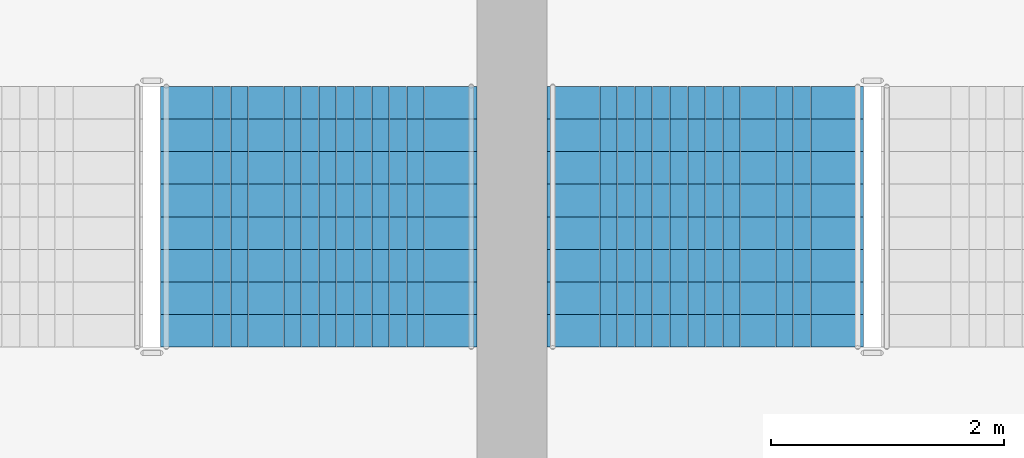
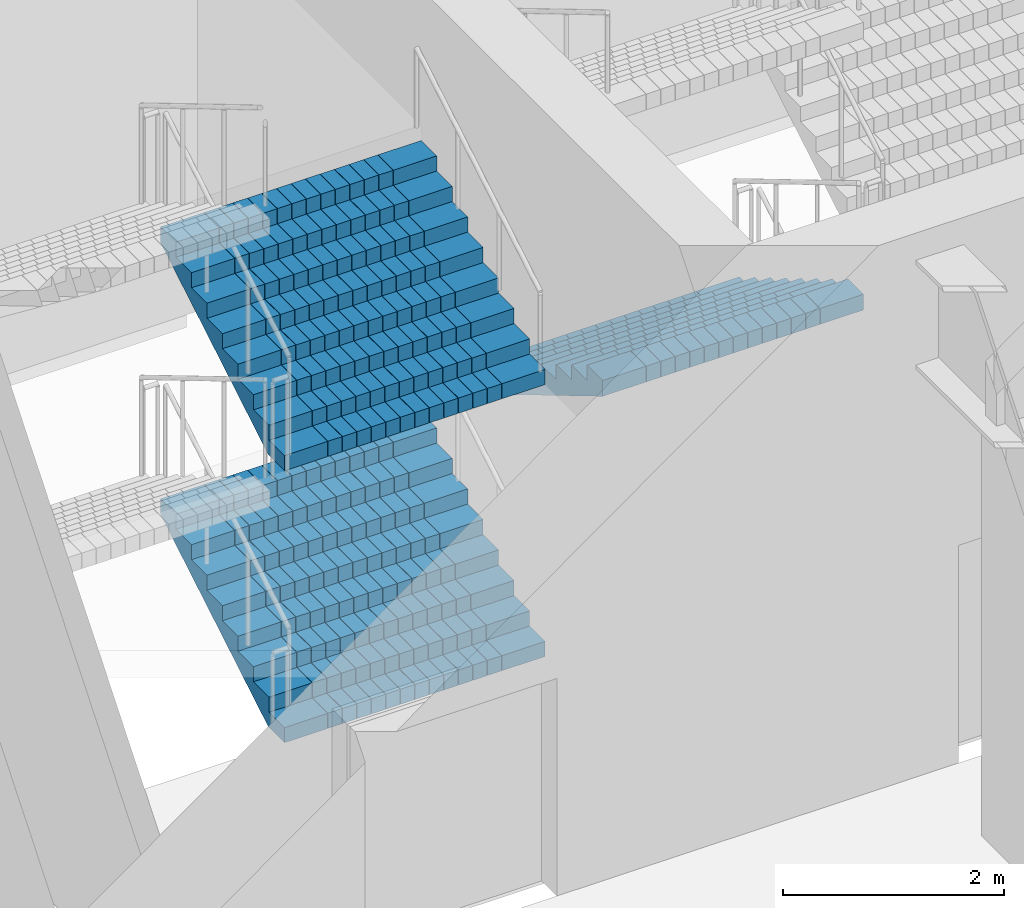
# One storey, part 33 of 41: 3 stair flights, 2 elements without a shape of their own.
"""IFC4 building model written with IfcOpenShell, lengths in metres."""

from ifc_helpers import new_model, si_unit, direction, frame, origin, place, context, subcontext, project, spatial, polyline, outline, extrude, material, type_object, element, aggregate, save


model = new_model("IFC4")

# Units and contexts
model_context = context("Model", 3, precision=1e-05, world=origin(), true_north=direction((0.0, 1.0)))
body_context = subcontext(model_context, "Body", "Model", "MODEL_VIEW")
ifc_project = project(units=[si_unit("LENGTHUNIT", "METRE"), si_unit("AREAUNIT", "SQUARE_METRE"), si_unit("VOLUMEUNIT", "CUBIC_METRE"), si_unit("PLANEANGLEUNIT", "RADIAN"), si_unit("MASSUNIT", "GRAM", prefix="KILO")], contexts=[model_context])

# Site, building, storey
site_placement = place(None, origin())
site = spatial("IfcSite", under=ifc_project, at=site_placement, CompositionType="ELEMENT")
building_placement = place(site_placement, origin())
building = spatial("IfcBuilding", under=site, at=building_placement, Name="Corbelhall Arena Tower", CompositionType="ELEMENT")
storey_placement = place(building_placement, frame((0.0, 0.0, 19.0)))
storey = spatial("IfcBuildingStorey", under=building, at=storey_placement, Name="L02", CompositionType="ELEMENT", Elevation=19.0)

# Stair, stair flights
ifc_material = material(Name="Reinforced concrete C40/50", Category="concrete")
stair_type = type_object("IfcStairType", Name="AR-EXIT-STAIR", PredefinedType="HALF_TURN_STAIR", material=ifc_material)
stair_1_placement = place(storey_placement, origin())
stair_1 = element("IfcStair", 1, at=stair_1_placement, inside=storey, type_object=stair_type, Name="L02 exit stair AS1", PredefinedType="HALF_TURN_STAIR")
stair_flight_type = type_object("IfcStairFlightType", Name="AR-EXIT-FLIGHT", PredefinedType="STRAIGHT", material=ifc_material)
stair_flight_1_placement = place(storey_placement, frame((38.840087890625, 27.320068359375, 0.0), z_axis=(0.0, 0.0, 1.0), x_axis=(0.0, 1.0, 0.0)))
stair_flight_1 = element("IfcStairFlight", 2, at=stair_flight_1_placement, type_object=stair_flight_type, Name="AS1 flight 1", NumberOfRisers=9, NumberOfTreads=8, PredefinedType="STRAIGHT", RiserHeight=0.166666667, TreadLength=0.28, context=body_context, shape_type="SweptSolid", body=[
    extrude(outline(polyline([(0.0, 0.0), (0.0, 0.166748046875), (0.280029296875, 0.166748046875), (0.280029296875, 0.333251953125), (0.56005859375, 0.333251953125), (0.56005859375, 0.5), (0.840087890625, 0.5), (0.840087890625, 0.666748046875), (1.1201171875, 0.666748046875), (1.1201171875, 0.833251953125), (1.39990234375, 0.833251953125), (1.39990234375, 1.0), (1.679931640625, 1.0), (1.679931640625, 1.166748046875), (1.9599609375, 1.166748046875), (1.9599609375, 1.333251953125), (2.239990234375, 1.333251953125), (2.239990234375, 1.5), (2.239990234375, 1.158935546875), (0.29296875, 0.0), (0.0, 0.0)])), frame((0.0, 1.35986328125, 0.0), z_axis=(0.0, -1.0, 0.0), x_axis=(1.0, 0.0, 0.0)), (0.0, 0.0, 1.0), 0.449951171875),
    extrude(outline(polyline([(0.0, 0.0), (0.0, 0.166748046875), (0.280029296875, 0.166748046875), (0.280029296875, 0.333251953125), (0.56005859375, 0.333251953125), (0.56005859375, 0.5), (0.840087890625, 0.5), (0.840087890625, 0.666748046875), (1.1201171875, 0.666748046875), (1.1201171875, 0.833251953125), (1.39990234375, 0.833251953125), (1.39990234375, 1.0), (1.679931640625, 1.0), (1.679931640625, 1.166748046875), (1.9599609375, 1.166748046875), (1.9599609375, 1.333251953125), (2.239990234375, 1.333251953125), (2.239990234375, 1.5), (2.239990234375, 1.158935546875), (0.29296875, 0.0), (0.0, 0.0)])), frame((0.0, 0.906005859375, 0.0), z_axis=(0.0, -1.0, 0.0), x_axis=(1.0, 0.0, 0.0)), (0.0, 0.0, 1.0), 0.147216796875),
    extrude(outline(polyline([(0.0, 0.0), (0.0, 0.166748046875), (0.280029296875, 0.166748046875), (0.280029296875, 0.333251953125), (0.56005859375, 0.333251953125), (0.56005859375, 0.5), (0.840087890625, 0.5), (0.840087890625, 0.666748046875), (1.1201171875, 0.666748046875), (1.1201171875, 0.833251953125), (1.39990234375, 0.833251953125), (1.39990234375, 1.0), (1.679931640625, 1.0), (1.679931640625, 1.166748046875), (1.9599609375, 1.166748046875), (1.9599609375, 1.333251953125), (2.239990234375, 1.333251953125), (2.239990234375, 1.5), (2.239990234375, 1.158935546875), (0.29296875, 0.0), (0.0, 0.0)])), frame((0.0, 0.754638671875, 0.0), z_axis=(0.0, -1.0, 0.0), x_axis=(1.0, 0.0, 0.0)), (0.0, 0.0, 1.0), 0.147216796875),
    extrude(outline(polyline([(0.0, 0.0), (0.0, 0.166748046875), (0.280029296875, 0.166748046875), (0.280029296875, 0.333251953125), (0.56005859375, 0.333251953125), (0.56005859375, 0.5), (0.840087890625, 0.5), (0.840087890625, 0.666748046875), (1.1201171875, 0.666748046875), (1.1201171875, 0.833251953125), (1.39990234375, 0.833251953125), (1.39990234375, 1.0), (1.679931640625, 1.0), (1.679931640625, 1.166748046875), (1.9599609375, 1.166748046875), (1.9599609375, 1.333251953125), (2.239990234375, 1.333251953125), (2.239990234375, 1.5), (2.239990234375, 1.158935546875), (0.29296875, 0.0), (0.0, 0.0)])), frame((0.0, 0.603271484375, 0.0), z_axis=(0.0, -1.0, 0.0), x_axis=(1.0, 0.0, 0.0)), (0.0, 0.0, 1.0), 0.147216796875),
    extrude(outline(polyline([(0.0, 0.0), (0.0, 0.166748046875), (0.280029296875, 0.166748046875), (0.280029296875, 0.333251953125), (0.56005859375, 0.333251953125), (0.56005859375, 0.5), (0.840087890625, 0.5), (0.840087890625, 0.666748046875), (1.1201171875, 0.666748046875), (1.1201171875, 0.833251953125), (1.39990234375, 0.833251953125), (1.39990234375, 1.0), (1.679931640625, 1.0), (1.679931640625, 1.166748046875), (1.9599609375, 1.166748046875), (1.9599609375, 1.333251953125), (2.239990234375, 1.333251953125), (2.239990234375, 1.5), (2.239990234375, 1.158935546875), (0.29296875, 0.0), (0.0, 0.0)])), frame((0.0, 0.451904296875, 0.0), z_axis=(0.0, -1.0, 0.0), x_axis=(1.0, 0.0, 0.0)), (0.0, 0.0, 1.0), 0.147216796875),
    extrude(outline(polyline([(0.0, 0.0), (0.0, 0.166748046875), (0.280029296875, 0.166748046875), (0.280029296875, 0.333251953125), (0.56005859375, 0.333251953125), (0.56005859375, 0.5), (0.840087890625, 0.5), (0.840087890625, 0.666748046875), (1.1201171875, 0.666748046875), (1.1201171875, 0.833251953125), (1.39990234375, 0.833251953125), (1.39990234375, 1.0), (1.679931640625, 1.0), (1.679931640625, 1.166748046875), (1.9599609375, 1.166748046875), (1.9599609375, 1.333251953125), (2.239990234375, 1.333251953125), (2.239990234375, 1.5), (2.239990234375, 1.158935546875), (0.29296875, 0.0), (0.0, 0.0)])), frame((0.0, 0.30078125, 0.0), z_axis=(0.0, -1.0, 0.0), x_axis=(1.0, 0.0, 0.0)), (0.0, 0.0, 1.0), 0.147216796875),
    extrude(outline(polyline([(0.0, 0.0), (0.0, 0.166748046875), (0.280029296875, 0.166748046875), (0.280029296875, 0.333251953125), (0.56005859375, 0.333251953125), (0.56005859375, 0.5), (0.840087890625, 0.5), (0.840087890625, 0.666748046875), (1.1201171875, 0.666748046875), (1.1201171875, 0.833251953125), (1.39990234375, 0.833251953125), (1.39990234375, 1.0), (1.679931640625, 1.0), (1.679931640625, 1.166748046875), (1.9599609375, 1.166748046875), (1.9599609375, 1.333251953125), (2.239990234375, 1.333251953125), (2.239990234375, 1.5), (2.239990234375, 1.158935546875), (0.29296875, 0.0), (0.0, 0.0)])), frame((0.0, 0.1494140625, 0.0), z_axis=(0.0, -1.0, 0.0), x_axis=(1.0, 0.0, 0.0)), (0.0, 0.0, 1.0), 0.147216796875),
    extrude(outline(polyline([(0.0, 0.0), (0.0, 0.166748046875), (0.280029296875, 0.166748046875), (0.280029296875, 0.333251953125), (0.56005859375, 0.333251953125), (0.56005859375, 0.5), (0.840087890625, 0.5), (0.840087890625, 0.666748046875), (1.1201171875, 0.666748046875), (1.1201171875, 0.833251953125), (1.39990234375, 0.833251953125), (1.39990234375, 1.0), (1.679931640625, 1.0), (1.679931640625, 1.166748046875), (1.9599609375, 1.166748046875), (1.9599609375, 1.333251953125), (2.239990234375, 1.333251953125), (2.239990234375, 1.5), (2.239990234375, 1.158935546875), (0.29296875, 0.0), (0.0, 0.0)])), frame((0.0, -0.001953125, 0.0), z_axis=(0.0, -1.0, 0.0), x_axis=(1.0, 0.0, 0.0)), (0.0, 0.0, 1.0), 0.147216796875),
    extrude(outline(polyline([(0.0, 0.0), (0.0, 0.166748046875), (0.280029296875, 0.166748046875), (0.280029296875, 0.333251953125), (0.56005859375, 0.333251953125), (0.56005859375, 0.5), (0.840087890625, 0.5), (0.840087890625, 0.666748046875), (1.1201171875, 0.666748046875), (1.1201171875, 0.833251953125), (1.39990234375, 0.833251953125), (1.39990234375, 1.0), (1.679931640625, 1.0), (1.679931640625, 1.166748046875), (1.9599609375, 1.166748046875), (1.9599609375, 1.333251953125), (2.239990234375, 1.333251953125), (2.239990234375, 1.5), (2.239990234375, 1.158935546875), (0.29296875, 0.0), (0.0, 0.0)])), frame((0.0, -0.1533203125, 0.0), z_axis=(0.0, -1.0, 0.0), x_axis=(1.0, 0.0, 0.0)), (0.0, 0.0, 1.0), 0.147216796875),
    extrude(outline(polyline([(0.0, 0.0), (0.0, 0.166748046875), (0.280029296875, 0.166748046875), (0.280029296875, 0.333251953125), (0.56005859375, 0.333251953125), (0.56005859375, 0.5), (0.840087890625, 0.5), (0.840087890625, 0.666748046875), (1.1201171875, 0.666748046875), (1.1201171875, 0.833251953125), (1.39990234375, 0.833251953125), (1.39990234375, 1.0), (1.679931640625, 1.0), (1.679931640625, 1.166748046875), (1.9599609375, 1.166748046875), (1.9599609375, 1.333251953125), (2.239990234375, 1.333251953125), (2.239990234375, 1.5), (2.239990234375, 1.158935546875), (0.29296875, 0.0), (0.0, 0.0)])), frame((0.0, -0.3046875, 0.0), z_axis=(0.0, -1.0, 0.0), x_axis=(1.0, 0.0, 0.0)), (0.0, 0.0, 1.0), 0.147216796875),
    extrude(outline(polyline([(0.0, 0.0), (0.0, 0.166748046875), (0.280029296875, 0.166748046875), (0.280029296875, 0.333251953125), (0.56005859375, 0.333251953125), (0.56005859375, 0.5), (0.840087890625, 0.5), (0.840087890625, 0.666748046875), (1.1201171875, 0.666748046875), (1.1201171875, 0.833251953125), (1.39990234375, 0.833251953125), (1.39990234375, 1.0), (1.679931640625, 1.0), (1.679931640625, 1.166748046875), (1.9599609375, 1.166748046875), (1.9599609375, 1.333251953125), (2.239990234375, 1.333251953125), (2.239990234375, 1.5), (2.239990234375, 1.158935546875), (0.29296875, 0.0), (0.0, 0.0)])), frame((0.0, -0.4560546875, 0.0), z_axis=(0.0, -1.0, 0.0), x_axis=(1.0, 0.0, 0.0)), (0.0, 0.0, 1.0), 0.147216796875),
    extrude(outline(polyline([(0.0, 0.0), (0.0, 0.166748046875), (0.280029296875, 0.166748046875), (0.280029296875, 0.333251953125), (0.56005859375, 0.333251953125), (0.56005859375, 0.5), (0.840087890625, 0.5), (0.840087890625, 0.666748046875), (1.1201171875, 0.666748046875), (1.1201171875, 0.833251953125), (1.39990234375, 0.833251953125), (1.39990234375, 1.0), (1.679931640625, 1.0), (1.679931640625, 1.166748046875), (1.9599609375, 1.166748046875), (1.9599609375, 1.333251953125), (2.239990234375, 1.333251953125), (2.239990234375, 1.5), (2.239990234375, 1.158935546875), (0.29296875, 0.0), (0.0, 0.0)])), frame((0.0, -0.607421875, 0.0), z_axis=(0.0, -1.0, 0.0), x_axis=(1.0, 0.0, 0.0)), (0.0, 0.0, 1.0), 0.147216796875),
    extrude(outline(polyline([(0.0, 0.0), (0.0, 0.166748046875), (0.280029296875, 0.166748046875), (0.280029296875, 0.333251953125), (0.56005859375, 0.333251953125), (0.56005859375, 0.5), (0.840087890625, 0.5), (0.840087890625, 0.666748046875), (1.1201171875, 0.666748046875), (1.1201171875, 0.833251953125), (1.39990234375, 0.833251953125), (1.39990234375, 1.0), (1.679931640625, 1.0), (1.679931640625, 1.166748046875), (1.9599609375, 1.166748046875), (1.9599609375, 1.333251953125), (2.239990234375, 1.333251953125), (2.239990234375, 1.5), (2.239990234375, 1.158935546875), (0.29296875, 0.0), (0.0, 0.0)])), frame((0.0, -0.758544921875, 0.0), z_axis=(0.0, -1.0, 0.0), x_axis=(1.0, 0.0, 0.0)), (0.0, 0.0, 1.0), 0.147216796875),
    extrude(outline(polyline([(0.0, 0.0), (0.0, 0.166748046875), (0.280029296875, 0.166748046875), (0.280029296875, 0.333251953125), (0.56005859375, 0.333251953125), (0.56005859375, 0.5), (0.840087890625, 0.5), (0.840087890625, 0.666748046875), (1.1201171875, 0.666748046875), (1.1201171875, 0.833251953125), (1.39990234375, 0.833251953125), (1.39990234375, 1.0), (1.679931640625, 1.0), (1.679931640625, 1.166748046875), (1.9599609375, 1.166748046875), (1.9599609375, 1.333251953125), (2.239990234375, 1.333251953125), (2.239990234375, 1.5), (2.239990234375, 1.158935546875), (0.29296875, 0.0), (0.0, 0.0)])), frame((0.0, -0.909912109375, 0.0), z_axis=(0.0, -1.0, 0.0), x_axis=(1.0, 0.0, 0.0)), (0.0, 0.0, 1.0), 0.449951171875),
])
stair_flight_2_placement = place(storey_placement, frame((38.840087890625, 27.320068359375, 3.0), z_axis=(0.0, 0.0, 1.0), x_axis=(0.0, 1.0, 0.0)))
stair_flight_2 = element("IfcStairFlight", 3, at=stair_flight_2_placement, type_object=stair_flight_type, Name="AS1 flight 3", NumberOfRisers=9, NumberOfTreads=8, PredefinedType="STRAIGHT", RiserHeight=0.166666667, TreadLength=0.28, context=body_context, shape_type="SweptSolid", body=[
    extrude(outline(polyline([(0.0, 0.0), (0.0, 0.166748046875), (0.280029296875, 0.166748046875), (0.280029296875, 0.333251953125), (0.56005859375, 0.333251953125), (0.56005859375, 0.5), (0.840087890625, 0.5), (0.840087890625, 0.666748046875), (1.1201171875, 0.666748046875), (1.1201171875, 0.833251953125), (1.39990234375, 0.833251953125), (1.39990234375, 1.0), (1.679931640625, 1.0), (1.679931640625, 1.166748046875), (1.9599609375, 1.166748046875), (1.9599609375, 1.333251953125), (2.239990234375, 1.333251953125), (2.239990234375, 1.5), (2.239990234375, 1.158935546875), (0.29296875, 0.0), (0.0, 0.0)])), frame((0.0, 1.35986328125, 0.0), z_axis=(0.0, -1.0, 0.0), x_axis=(1.0, 0.0, 0.0)), (0.0, 0.0, 1.0), 0.449951171875),
    extrude(outline(polyline([(0.0, 0.0), (0.0, 0.166748046875), (0.280029296875, 0.166748046875), (0.280029296875, 0.333251953125), (0.56005859375, 0.333251953125), (0.56005859375, 0.5), (0.840087890625, 0.5), (0.840087890625, 0.666748046875), (1.1201171875, 0.666748046875), (1.1201171875, 0.833251953125), (1.39990234375, 0.833251953125), (1.39990234375, 1.0), (1.679931640625, 1.0), (1.679931640625, 1.166748046875), (1.9599609375, 1.166748046875), (1.9599609375, 1.333251953125), (2.239990234375, 1.333251953125), (2.239990234375, 1.5), (2.239990234375, 1.158935546875), (0.29296875, 0.0), (0.0, 0.0)])), frame((0.0, 0.906005859375, 0.0), z_axis=(0.0, -1.0, 0.0), x_axis=(1.0, 0.0, 0.0)), (0.0, 0.0, 1.0), 0.147216796875),
    extrude(outline(polyline([(0.0, 0.0), (0.0, 0.166748046875), (0.280029296875, 0.166748046875), (0.280029296875, 0.333251953125), (0.56005859375, 0.333251953125), (0.56005859375, 0.5), (0.840087890625, 0.5), (0.840087890625, 0.666748046875), (1.1201171875, 0.666748046875), (1.1201171875, 0.833251953125), (1.39990234375, 0.833251953125), (1.39990234375, 1.0), (1.679931640625, 1.0), (1.679931640625, 1.166748046875), (1.9599609375, 1.166748046875), (1.9599609375, 1.333251953125), (2.239990234375, 1.333251953125), (2.239990234375, 1.5), (2.239990234375, 1.158935546875), (0.29296875, 0.0), (0.0, 0.0)])), frame((0.0, 0.754638671875, 0.0), z_axis=(0.0, -1.0, 0.0), x_axis=(1.0, 0.0, 0.0)), (0.0, 0.0, 1.0), 0.147216796875),
    extrude(outline(polyline([(0.0, 0.0), (0.0, 0.166748046875), (0.280029296875, 0.166748046875), (0.280029296875, 0.333251953125), (0.56005859375, 0.333251953125), (0.56005859375, 0.5), (0.840087890625, 0.5), (0.840087890625, 0.666748046875), (1.1201171875, 0.666748046875), (1.1201171875, 0.833251953125), (1.39990234375, 0.833251953125), (1.39990234375, 1.0), (1.679931640625, 1.0), (1.679931640625, 1.166748046875), (1.9599609375, 1.166748046875), (1.9599609375, 1.333251953125), (2.239990234375, 1.333251953125), (2.239990234375, 1.5), (2.239990234375, 1.158935546875), (0.29296875, 0.0), (0.0, 0.0)])), frame((0.0, 0.603271484375, 0.0), z_axis=(0.0, -1.0, 0.0), x_axis=(1.0, 0.0, 0.0)), (0.0, 0.0, 1.0), 0.147216796875),
    extrude(outline(polyline([(0.0, 0.0), (0.0, 0.166748046875), (0.280029296875, 0.166748046875), (0.280029296875, 0.333251953125), (0.56005859375, 0.333251953125), (0.56005859375, 0.5), (0.840087890625, 0.5), (0.840087890625, 0.666748046875), (1.1201171875, 0.666748046875), (1.1201171875, 0.833251953125), (1.39990234375, 0.833251953125), (1.39990234375, 1.0), (1.679931640625, 1.0), (1.679931640625, 1.166748046875), (1.9599609375, 1.166748046875), (1.9599609375, 1.333251953125), (2.239990234375, 1.333251953125), (2.239990234375, 1.5), (2.239990234375, 1.158935546875), (0.29296875, 0.0), (0.0, 0.0)])), frame((0.0, 0.451904296875, 0.0), z_axis=(0.0, -1.0, 0.0), x_axis=(1.0, 0.0, 0.0)), (0.0, 0.0, 1.0), 0.147216796875),
    extrude(outline(polyline([(0.0, 0.0), (0.0, 0.166748046875), (0.280029296875, 0.166748046875), (0.280029296875, 0.333251953125), (0.56005859375, 0.333251953125), (0.56005859375, 0.5), (0.840087890625, 0.5), (0.840087890625, 0.666748046875), (1.1201171875, 0.666748046875), (1.1201171875, 0.833251953125), (1.39990234375, 0.833251953125), (1.39990234375, 1.0), (1.679931640625, 1.0), (1.679931640625, 1.166748046875), (1.9599609375, 1.166748046875), (1.9599609375, 1.333251953125), (2.239990234375, 1.333251953125), (2.239990234375, 1.5), (2.239990234375, 1.158935546875), (0.29296875, 0.0), (0.0, 0.0)])), frame((0.0, 0.30078125, 0.0), z_axis=(0.0, -1.0, 0.0), x_axis=(1.0, 0.0, 0.0)), (0.0, 0.0, 1.0), 0.147216796875),
    extrude(outline(polyline([(0.0, 0.0), (0.0, 0.166748046875), (0.280029296875, 0.166748046875), (0.280029296875, 0.333251953125), (0.56005859375, 0.333251953125), (0.56005859375, 0.5), (0.840087890625, 0.5), (0.840087890625, 0.666748046875), (1.1201171875, 0.666748046875), (1.1201171875, 0.833251953125), (1.39990234375, 0.833251953125), (1.39990234375, 1.0), (1.679931640625, 1.0), (1.679931640625, 1.166748046875), (1.9599609375, 1.166748046875), (1.9599609375, 1.333251953125), (2.239990234375, 1.333251953125), (2.239990234375, 1.5), (2.239990234375, 1.158935546875), (0.29296875, 0.0), (0.0, 0.0)])), frame((0.0, 0.1494140625, 0.0), z_axis=(0.0, -1.0, 0.0), x_axis=(1.0, 0.0, 0.0)), (0.0, 0.0, 1.0), 0.147216796875),
    extrude(outline(polyline([(0.0, 0.0), (0.0, 0.166748046875), (0.280029296875, 0.166748046875), (0.280029296875, 0.333251953125), (0.56005859375, 0.333251953125), (0.56005859375, 0.5), (0.840087890625, 0.5), (0.840087890625, 0.666748046875), (1.1201171875, 0.666748046875), (1.1201171875, 0.833251953125), (1.39990234375, 0.833251953125), (1.39990234375, 1.0), (1.679931640625, 1.0), (1.679931640625, 1.166748046875), (1.9599609375, 1.166748046875), (1.9599609375, 1.333251953125), (2.239990234375, 1.333251953125), (2.239990234375, 1.5), (2.239990234375, 1.158935546875), (0.29296875, 0.0), (0.0, 0.0)])), frame((0.0, -0.001953125, 0.0), z_axis=(0.0, -1.0, 0.0), x_axis=(1.0, 0.0, 0.0)), (0.0, 0.0, 1.0), 0.147216796875),
    extrude(outline(polyline([(0.0, 0.0), (0.0, 0.166748046875), (0.280029296875, 0.166748046875), (0.280029296875, 0.333251953125), (0.56005859375, 0.333251953125), (0.56005859375, 0.5), (0.840087890625, 0.5), (0.840087890625, 0.666748046875), (1.1201171875, 0.666748046875), (1.1201171875, 0.833251953125), (1.39990234375, 0.833251953125), (1.39990234375, 1.0), (1.679931640625, 1.0), (1.679931640625, 1.166748046875), (1.9599609375, 1.166748046875), (1.9599609375, 1.333251953125), (2.239990234375, 1.333251953125), (2.239990234375, 1.5), (2.239990234375, 1.158935546875), (0.29296875, 0.0), (0.0, 0.0)])), frame((0.0, -0.1533203125, 0.0), z_axis=(0.0, -1.0, 0.0), x_axis=(1.0, 0.0, 0.0)), (0.0, 0.0, 1.0), 0.147216796875),
    extrude(outline(polyline([(0.0, 0.0), (0.0, 0.166748046875), (0.280029296875, 0.166748046875), (0.280029296875, 0.333251953125), (0.56005859375, 0.333251953125), (0.56005859375, 0.5), (0.840087890625, 0.5), (0.840087890625, 0.666748046875), (1.1201171875, 0.666748046875), (1.1201171875, 0.833251953125), (1.39990234375, 0.833251953125), (1.39990234375, 1.0), (1.679931640625, 1.0), (1.679931640625, 1.166748046875), (1.9599609375, 1.166748046875), (1.9599609375, 1.333251953125), (2.239990234375, 1.333251953125), (2.239990234375, 1.5), (2.239990234375, 1.158935546875), (0.29296875, 0.0), (0.0, 0.0)])), frame((0.0, -0.3046875, 0.0), z_axis=(0.0, -1.0, 0.0), x_axis=(1.0, 0.0, 0.0)), (0.0, 0.0, 1.0), 0.147216796875),
    extrude(outline(polyline([(0.0, 0.0), (0.0, 0.166748046875), (0.280029296875, 0.166748046875), (0.280029296875, 0.333251953125), (0.56005859375, 0.333251953125), (0.56005859375, 0.5), (0.840087890625, 0.5), (0.840087890625, 0.666748046875), (1.1201171875, 0.666748046875), (1.1201171875, 0.833251953125), (1.39990234375, 0.833251953125), (1.39990234375, 1.0), (1.679931640625, 1.0), (1.679931640625, 1.166748046875), (1.9599609375, 1.166748046875), (1.9599609375, 1.333251953125), (2.239990234375, 1.333251953125), (2.239990234375, 1.5), (2.239990234375, 1.158935546875), (0.29296875, 0.0), (0.0, 0.0)])), frame((0.0, -0.4560546875, 0.0), z_axis=(0.0, -1.0, 0.0), x_axis=(1.0, 0.0, 0.0)), (0.0, 0.0, 1.0), 0.147216796875),
    extrude(outline(polyline([(0.0, 0.0), (0.0, 0.166748046875), (0.280029296875, 0.166748046875), (0.280029296875, 0.333251953125), (0.56005859375, 0.333251953125), (0.56005859375, 0.5), (0.840087890625, 0.5), (0.840087890625, 0.666748046875), (1.1201171875, 0.666748046875), (1.1201171875, 0.833251953125), (1.39990234375, 0.833251953125), (1.39990234375, 1.0), (1.679931640625, 1.0), (1.679931640625, 1.166748046875), (1.9599609375, 1.166748046875), (1.9599609375, 1.333251953125), (2.239990234375, 1.333251953125), (2.239990234375, 1.5), (2.239990234375, 1.158935546875), (0.29296875, 0.0), (0.0, 0.0)])), frame((0.0, -0.607421875, 0.0), z_axis=(0.0, -1.0, 0.0), x_axis=(1.0, 0.0, 0.0)), (0.0, 0.0, 1.0), 0.147216796875),
    extrude(outline(polyline([(0.0, 0.0), (0.0, 0.166748046875), (0.280029296875, 0.166748046875), (0.280029296875, 0.333251953125), (0.56005859375, 0.333251953125), (0.56005859375, 0.5), (0.840087890625, 0.5), (0.840087890625, 0.666748046875), (1.1201171875, 0.666748046875), (1.1201171875, 0.833251953125), (1.39990234375, 0.833251953125), (1.39990234375, 1.0), (1.679931640625, 1.0), (1.679931640625, 1.166748046875), (1.9599609375, 1.166748046875), (1.9599609375, 1.333251953125), (2.239990234375, 1.333251953125), (2.239990234375, 1.5), (2.239990234375, 1.158935546875), (0.29296875, 0.0), (0.0, 0.0)])), frame((0.0, -0.758544921875, 0.0), z_axis=(0.0, -1.0, 0.0), x_axis=(1.0, 0.0, 0.0)), (0.0, 0.0, 1.0), 0.147216796875),
    extrude(outline(polyline([(0.0, 0.0), (0.0, 0.166748046875), (0.280029296875, 0.166748046875), (0.280029296875, 0.333251953125), (0.56005859375, 0.333251953125), (0.56005859375, 0.5), (0.840087890625, 0.5), (0.840087890625, 0.666748046875), (1.1201171875, 0.666748046875), (1.1201171875, 0.833251953125), (1.39990234375, 0.833251953125), (1.39990234375, 1.0), (1.679931640625, 1.0), (1.679931640625, 1.166748046875), (1.9599609375, 1.166748046875), (1.9599609375, 1.333251953125), (2.239990234375, 1.333251953125), (2.239990234375, 1.5), (2.239990234375, 1.158935546875), (0.29296875, 0.0), (0.0, 0.0)])), frame((0.0, -0.909912109375, 0.0), z_axis=(0.0, -1.0, 0.0), x_axis=(1.0, 0.0, 0.0)), (0.0, 0.0, 1.0), 0.449951171875),
])
aggregate(stair_1, [stair_flight_1, stair_flight_2])

# Stair, stair flight
stair_2_placement = place(storey_placement, origin())
stair_2 = element("IfcStair", 4, at=stair_2_placement, inside=storey, type_object=stair_type, Name="L02 exit stair AS2", PredefinedType="HALF_TURN_STAIR")
stair_flight_3_placement = place(storey_placement, frame((42.159912109375, 29.56005859375, 1.5), z_axis=(0.0, 0.0, 1.0), x_axis=(0.0, -1.0, 0.0)))
stair_flight_3 = element("IfcStairFlight", 5, at=stair_flight_3_placement, type_object=stair_flight_type, Name="AS2 flight 2", NumberOfRisers=9, NumberOfTreads=8, PredefinedType="STRAIGHT", RiserHeight=0.166666667, TreadLength=0.28, context=body_context, shape_type="SweptSolid", body=[
    extrude(outline(polyline([(0.0, 0.0), (0.0, 0.166748046875), (0.280029296875, 0.166748046875), (0.280029296875, 0.333251953125), (0.56005859375, 0.333251953125), (0.56005859375, 0.5), (0.840087890625, 0.5), (0.840087890625, 0.666748046875), (1.1201171875, 0.666748046875), (1.1201171875, 0.833251953125), (1.39990234375, 0.833251953125), (1.39990234375, 1.0), (1.679931640625, 1.0), (1.679931640625, 1.166748046875), (1.9599609375, 1.166748046875), (1.9599609375, 1.333251953125), (2.239990234375, 1.333251953125), (2.239990234375, 1.5), (2.239990234375, 1.158935546875), (0.29296875, 0.0), (0.0, 0.0)])), frame((0.0, 1.35986328125, 0.0), z_axis=(0.0, -1.0, 0.0), x_axis=(1.0, 0.0, 0.0)), (0.0, 0.0, 1.0), 0.449951171875),
    extrude(outline(polyline([(0.0, 0.0), (0.0, 0.166748046875), (0.280029296875, 0.166748046875), (0.280029296875, 0.333251953125), (0.56005859375, 0.333251953125), (0.56005859375, 0.5), (0.840087890625, 0.5), (0.840087890625, 0.666748046875), (1.1201171875, 0.666748046875), (1.1201171875, 0.833251953125), (1.39990234375, 0.833251953125), (1.39990234375, 1.0), (1.679931640625, 1.0), (1.679931640625, 1.166748046875), (1.9599609375, 1.166748046875), (1.9599609375, 1.333251953125), (2.239990234375, 1.333251953125), (2.239990234375, 1.5), (2.239990234375, 1.158935546875), (0.29296875, 0.0), (0.0, 0.0)])), frame((0.0, 0.906005859375, 0.0), z_axis=(0.0, -1.0, 0.0), x_axis=(1.0, 0.0, 0.0)), (0.0, 0.0, 1.0), 0.147216796875),
    extrude(outline(polyline([(0.0, 0.0), (0.0, 0.166748046875), (0.280029296875, 0.166748046875), (0.280029296875, 0.333251953125), (0.56005859375, 0.333251953125), (0.56005859375, 0.5), (0.840087890625, 0.5), (0.840087890625, 0.666748046875), (1.1201171875, 0.666748046875), (1.1201171875, 0.833251953125), (1.39990234375, 0.833251953125), (1.39990234375, 1.0), (1.679931640625, 1.0), (1.679931640625, 1.166748046875), (1.9599609375, 1.166748046875), (1.9599609375, 1.333251953125), (2.239990234375, 1.333251953125), (2.239990234375, 1.5), (2.239990234375, 1.158935546875), (0.29296875, 0.0), (0.0, 0.0)])), frame((0.0, 0.754638671875, 0.0), z_axis=(0.0, -1.0, 0.0), x_axis=(1.0, 0.0, 0.0)), (0.0, 0.0, 1.0), 0.147216796875),
    extrude(outline(polyline([(0.0, 0.0), (0.0, 0.166748046875), (0.280029296875, 0.166748046875), (0.280029296875, 0.333251953125), (0.56005859375, 0.333251953125), (0.56005859375, 0.5), (0.840087890625, 0.5), (0.840087890625, 0.666748046875), (1.1201171875, 0.666748046875), (1.1201171875, 0.833251953125), (1.39990234375, 0.833251953125), (1.39990234375, 1.0), (1.679931640625, 1.0), (1.679931640625, 1.166748046875), (1.9599609375, 1.166748046875), (1.9599609375, 1.333251953125), (2.239990234375, 1.333251953125), (2.239990234375, 1.5), (2.239990234375, 1.158935546875), (0.29296875, 0.0), (0.0, 0.0)])), frame((0.0, 0.603271484375, 0.0), z_axis=(0.0, -1.0, 0.0), x_axis=(1.0, 0.0, 0.0)), (0.0, 0.0, 1.0), 0.147216796875),
    extrude(outline(polyline([(0.0, 0.0), (0.0, 0.166748046875), (0.280029296875, 0.166748046875), (0.280029296875, 0.333251953125), (0.56005859375, 0.333251953125), (0.56005859375, 0.5), (0.840087890625, 0.5), (0.840087890625, 0.666748046875), (1.1201171875, 0.666748046875), (1.1201171875, 0.833251953125), (1.39990234375, 0.833251953125), (1.39990234375, 1.0), (1.679931640625, 1.0), (1.679931640625, 1.166748046875), (1.9599609375, 1.166748046875), (1.9599609375, 1.333251953125), (2.239990234375, 1.333251953125), (2.239990234375, 1.5), (2.239990234375, 1.158935546875), (0.29296875, 0.0), (0.0, 0.0)])), frame((0.0, 0.451904296875, 0.0), z_axis=(0.0, -1.0, 0.0), x_axis=(1.0, 0.0, 0.0)), (0.0, 0.0, 1.0), 0.147216796875),
    extrude(outline(polyline([(0.0, 0.0), (0.0, 0.166748046875), (0.280029296875, 0.166748046875), (0.280029296875, 0.333251953125), (0.56005859375, 0.333251953125), (0.56005859375, 0.5), (0.840087890625, 0.5), (0.840087890625, 0.666748046875), (1.1201171875, 0.666748046875), (1.1201171875, 0.833251953125), (1.39990234375, 0.833251953125), (1.39990234375, 1.0), (1.679931640625, 1.0), (1.679931640625, 1.166748046875), (1.9599609375, 1.166748046875), (1.9599609375, 1.333251953125), (2.239990234375, 1.333251953125), (2.239990234375, 1.5), (2.239990234375, 1.158935546875), (0.29296875, 0.0), (0.0, 0.0)])), frame((0.0, 0.30078125, 0.0), z_axis=(0.0, -1.0, 0.0), x_axis=(1.0, 0.0, 0.0)), (0.0, 0.0, 1.0), 0.147216796875),
    extrude(outline(polyline([(0.0, 0.0), (0.0, 0.166748046875), (0.280029296875, 0.166748046875), (0.280029296875, 0.333251953125), (0.56005859375, 0.333251953125), (0.56005859375, 0.5), (0.840087890625, 0.5), (0.840087890625, 0.666748046875), (1.1201171875, 0.666748046875), (1.1201171875, 0.833251953125), (1.39990234375, 0.833251953125), (1.39990234375, 1.0), (1.679931640625, 1.0), (1.679931640625, 1.166748046875), (1.9599609375, 1.166748046875), (1.9599609375, 1.333251953125), (2.239990234375, 1.333251953125), (2.239990234375, 1.5), (2.239990234375, 1.158935546875), (0.29296875, 0.0), (0.0, 0.0)])), frame((0.0, 0.1494140625, 0.0), z_axis=(0.0, -1.0, 0.0), x_axis=(1.0, 0.0, 0.0)), (0.0, 0.0, 1.0), 0.147216796875),
    extrude(outline(polyline([(0.0, 0.0), (0.0, 0.166748046875), (0.280029296875, 0.166748046875), (0.280029296875, 0.333251953125), (0.56005859375, 0.333251953125), (0.56005859375, 0.5), (0.840087890625, 0.5), (0.840087890625, 0.666748046875), (1.1201171875, 0.666748046875), (1.1201171875, 0.833251953125), (1.39990234375, 0.833251953125), (1.39990234375, 1.0), (1.679931640625, 1.0), (1.679931640625, 1.166748046875), (1.9599609375, 1.166748046875), (1.9599609375, 1.333251953125), (2.239990234375, 1.333251953125), (2.239990234375, 1.5), (2.239990234375, 1.158935546875), (0.29296875, 0.0), (0.0, 0.0)])), frame((0.0, -0.001953125, 0.0), z_axis=(0.0, -1.0, 0.0), x_axis=(1.0, 0.0, 0.0)), (0.0, 0.0, 1.0), 0.147216796875),
    extrude(outline(polyline([(0.0, 0.0), (0.0, 0.166748046875), (0.280029296875, 0.166748046875), (0.280029296875, 0.333251953125), (0.56005859375, 0.333251953125), (0.56005859375, 0.5), (0.840087890625, 0.5), (0.840087890625, 0.666748046875), (1.1201171875, 0.666748046875), (1.1201171875, 0.833251953125), (1.39990234375, 0.833251953125), (1.39990234375, 1.0), (1.679931640625, 1.0), (1.679931640625, 1.166748046875), (1.9599609375, 1.166748046875), (1.9599609375, 1.333251953125), (2.239990234375, 1.333251953125), (2.239990234375, 1.5), (2.239990234375, 1.158935546875), (0.29296875, 0.0), (0.0, 0.0)])), frame((0.0, -0.1533203125, 0.0), z_axis=(0.0, -1.0, 0.0), x_axis=(1.0, 0.0, 0.0)), (0.0, 0.0, 1.0), 0.147216796875),
    extrude(outline(polyline([(0.0, 0.0), (0.0, 0.166748046875), (0.280029296875, 0.166748046875), (0.280029296875, 0.333251953125), (0.56005859375, 0.333251953125), (0.56005859375, 0.5), (0.840087890625, 0.5), (0.840087890625, 0.666748046875), (1.1201171875, 0.666748046875), (1.1201171875, 0.833251953125), (1.39990234375, 0.833251953125), (1.39990234375, 1.0), (1.679931640625, 1.0), (1.679931640625, 1.166748046875), (1.9599609375, 1.166748046875), (1.9599609375, 1.333251953125), (2.239990234375, 1.333251953125), (2.239990234375, 1.5), (2.239990234375, 1.158935546875), (0.29296875, 0.0), (0.0, 0.0)])), frame((0.0, -0.3046875, 0.0), z_axis=(0.0, -1.0, 0.0), x_axis=(1.0, 0.0, 0.0)), (0.0, 0.0, 1.0), 0.147216796875),
    extrude(outline(polyline([(0.0, 0.0), (0.0, 0.166748046875), (0.280029296875, 0.166748046875), (0.280029296875, 0.333251953125), (0.56005859375, 0.333251953125), (0.56005859375, 0.5), (0.840087890625, 0.5), (0.840087890625, 0.666748046875), (1.1201171875, 0.666748046875), (1.1201171875, 0.833251953125), (1.39990234375, 0.833251953125), (1.39990234375, 1.0), (1.679931640625, 1.0), (1.679931640625, 1.166748046875), (1.9599609375, 1.166748046875), (1.9599609375, 1.333251953125), (2.239990234375, 1.333251953125), (2.239990234375, 1.5), (2.239990234375, 1.158935546875), (0.29296875, 0.0), (0.0, 0.0)])), frame((0.0, -0.4560546875, 0.0), z_axis=(0.0, -1.0, 0.0), x_axis=(1.0, 0.0, 0.0)), (0.0, 0.0, 1.0), 0.147216796875),
    extrude(outline(polyline([(0.0, 0.0), (0.0, 0.166748046875), (0.280029296875, 0.166748046875), (0.280029296875, 0.333251953125), (0.56005859375, 0.333251953125), (0.56005859375, 0.5), (0.840087890625, 0.5), (0.840087890625, 0.666748046875), (1.1201171875, 0.666748046875), (1.1201171875, 0.833251953125), (1.39990234375, 0.833251953125), (1.39990234375, 1.0), (1.679931640625, 1.0), (1.679931640625, 1.166748046875), (1.9599609375, 1.166748046875), (1.9599609375, 1.333251953125), (2.239990234375, 1.333251953125), (2.239990234375, 1.5), (2.239990234375, 1.158935546875), (0.29296875, 0.0), (0.0, 0.0)])), frame((0.0, -0.607421875, 0.0), z_axis=(0.0, -1.0, 0.0), x_axis=(1.0, 0.0, 0.0)), (0.0, 0.0, 1.0), 0.147216796875),
    extrude(outline(polyline([(0.0, 0.0), (0.0, 0.166748046875), (0.280029296875, 0.166748046875), (0.280029296875, 0.333251953125), (0.56005859375, 0.333251953125), (0.56005859375, 0.5), (0.840087890625, 0.5), (0.840087890625, 0.666748046875), (1.1201171875, 0.666748046875), (1.1201171875, 0.833251953125), (1.39990234375, 0.833251953125), (1.39990234375, 1.0), (1.679931640625, 1.0), (1.679931640625, 1.166748046875), (1.9599609375, 1.166748046875), (1.9599609375, 1.333251953125), (2.239990234375, 1.333251953125), (2.239990234375, 1.5), (2.239990234375, 1.158935546875), (0.29296875, 0.0), (0.0, 0.0)])), frame((0.0, -0.758544921875, 0.0), z_axis=(0.0, -1.0, 0.0), x_axis=(1.0, 0.0, 0.0)), (0.0, 0.0, 1.0), 0.147216796875),
    extrude(outline(polyline([(0.0, 0.0), (0.0, 0.166748046875), (0.280029296875, 0.166748046875), (0.280029296875, 0.333251953125), (0.56005859375, 0.333251953125), (0.56005859375, 0.5), (0.840087890625, 0.5), (0.840087890625, 0.666748046875), (1.1201171875, 0.666748046875), (1.1201171875, 0.833251953125), (1.39990234375, 0.833251953125), (1.39990234375, 1.0), (1.679931640625, 1.0), (1.679931640625, 1.166748046875), (1.9599609375, 1.166748046875), (1.9599609375, 1.333251953125), (2.239990234375, 1.333251953125), (2.239990234375, 1.5), (2.239990234375, 1.158935546875), (0.29296875, 0.0), (0.0, 0.0)])), frame((0.0, -0.909912109375, 0.0), z_axis=(0.0, -1.0, 0.0), x_axis=(1.0, 0.0, 0.0)), (0.0, 0.0, 1.0), 0.449951171875),
])
aggregate(stair_2, [stair_flight_3])

save(model, "model.ifc")
